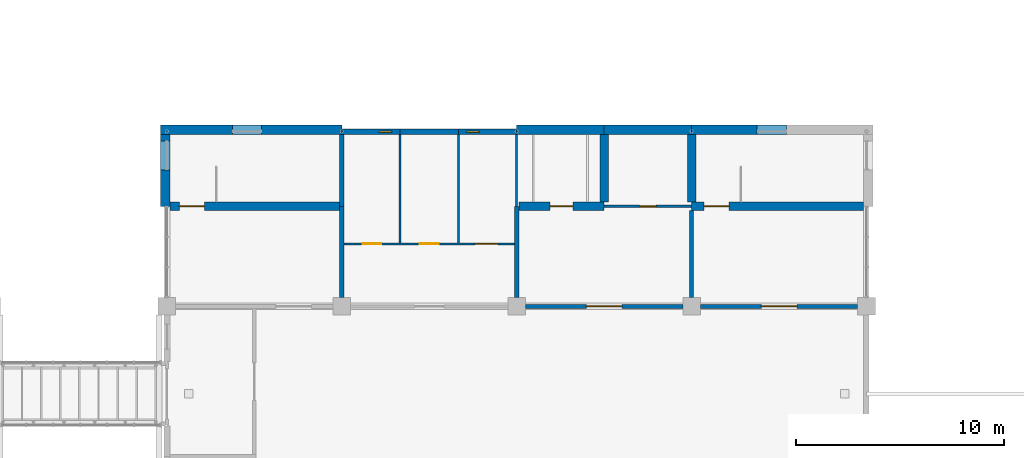
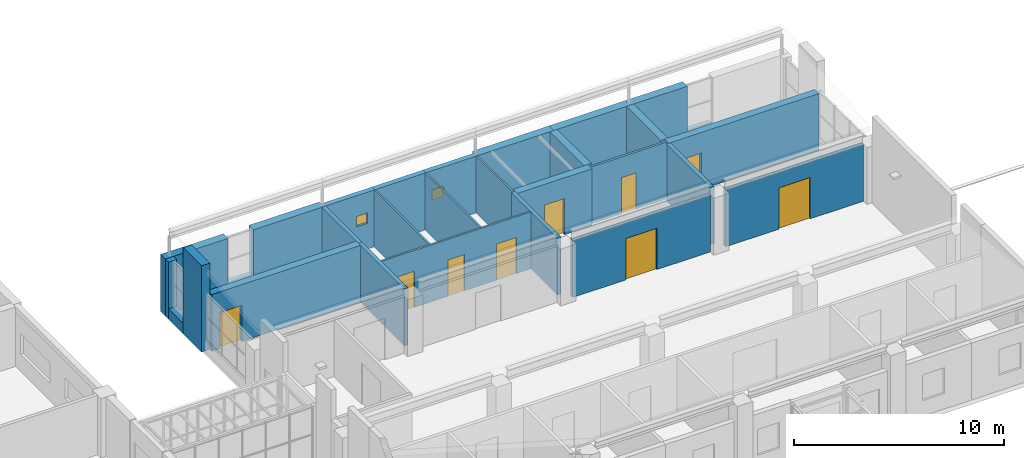
# One storey, part 67 of 94: 29 walls, 9 doors, 2 windows, 11 openings.
"""IFC4 building model written with IfcOpenShell, lengths in metres."""

from ifc_helpers import new_model, si_unit, direction, frame, frame_2d, origin, place, context, subcontext, project, spatial, rectangle, extrude, material, layer, layer_set, type_object, element, fill, save


model = new_model("IFC4")

# Units and contexts
model_context = context("Model", 3, precision=1e-05, world=origin(), true_north=direction((0.0, 1.0)))
body_context = subcontext(model_context, "Body", "Model", "MODEL_VIEW")
ifc_project = project(units=[si_unit("LENGTHUNIT", "METRE"), si_unit("AREAUNIT", "SQUARE_METRE"), si_unit("VOLUMEUNIT", "CUBIC_METRE"), si_unit("PLANEANGLEUNIT", "RADIAN"), si_unit("MASSUNIT", "GRAM", prefix="KILO")], contexts=[model_context])

# Site, building, storey
site_placement = place(None, origin())
site = spatial("IfcSite", under=ifc_project, at=site_placement, CompositionType="ELEMENT")
building_placement = place(site_placement, origin())
building = spatial("IfcBuilding", under=site, at=building_placement, Name="Yavir Park General Hospital", CompositionType="ELEMENT")
storey_placement = place(building_placement, frame((0.0, 0.0, 4.5)))
storey = spatial("IfcBuildingStorey", under=building, at=storey_placement, Name="L01", CompositionType="ELEMENT", Elevation=4.5)

# Wall, opening, window
ifc_material_1 = material(Name="Brick slip cladding on insulated block backing", Category="masonry")
ifc_layer_1 = layer(ifc_material_1, 0.27490234375)
ifc_layer_set_1 = layer_set([ifc_layer_1], Name="Brick slip cladding on insulated block backing")
wall_type_1 = type_object("IfcWallType", Name="Brick slip faced pavilion wall 275, E 30", PredefinedType="SOLIDWALL", material=ifc_layer_set_1)
wall_1_placement = place(storey_placement, frame((42.0, 75.58740234375, 0.0), z_axis=(0.0, 0.0, 1.0), x_axis=(1.0, 0.0, 0.0)))
wall_1 = element("IfcWall", 1, at=wall_1_placement, inside=storey, type_object=wall_type_1, Name="XW3 L01-104", PredefinedType="SOLIDWALL", context=body_context, shape_type="SweptSolid", body=[
    extrude(rectangle(XDim=2.800048828125, YDim=0.27490234375, at=frame_2d((1.39990234375, 0.0))), origin(), (0.0, 0.0, 1.0), 3.300048828125),
])
opening_1_placement = place(wall_1_placement, frame((1.800048828125, 0.0, 1.5)))
opening_1 = element("IfcOpeningElement", 2, at=opening_1_placement, cuts=wall_1, Name="Opening WJ", PredefinedType="OPENING", context=body_context, shape_type="SweptSolid", body=[
    extrude(rectangle(XDim=0.60009765625, YDim=0.60009765625, at=frame_2d((0.300048828125, 0.300048828125))), frame((0.0, 0.1474609375, 0.0), z_axis=(0.0, -1.0, 0.0), x_axis=(1.0, 0.0, 0.0)), (0.0, 0.0, 1.0), 0.294921875),
])
ifc_material_2 = material(Name="Aluminium frame, obscured glazed unit", Category="aluminium")
window_type = type_object("IfcWindowType", Name="Toilet window, small 600 x 600", PartitioningType="SINGLE_PANEL", PredefinedType="WINDOW", material=ifc_material_2)
window_1_placement = place(opening_1_placement, origin())
window_1 = element("IfcWindow", 3, at=window_1_placement, inside=storey, type_object=window_type, Name="WJ L01-063", OverallHeight=0.60009765625, OverallWidth=0.60009765625, PartitioningType="SINGLE_PANEL", PredefinedType="WINDOW", context=body_context, shape_type="SweptSolid", body=[
    extrude(rectangle(XDim=0.60009765625, YDim=0.60009765625, at=frame_2d((0.300048828125, 0.300048828125))), frame((0.0, 0.030029296875, 0.0), z_axis=(0.0, -1.0, 0.0), x_axis=(1.0, 0.0, 0.0)), (0.0, 0.0, 1.0), 0.06005859375),
])
fill(opening_1, window_1)

# Wall
wall_2_placement = place(storey_placement, frame((44.800048828125, 75.58740234375, 0.0), z_axis=(0.0, 0.0, 1.0), x_axis=(1.0, 0.0, 0.0)))
element("IfcWall", 4, at=wall_2_placement, inside=storey, type_object=wall_type_1, Name="XW3 L01-105", PredefinedType="SOLIDWALL", context=body_context, shape_type="SweptSolid", body=[
    extrude(rectangle(XDim=2.800048828125, YDim=0.27490234375, at=frame_2d((1.39990234375, 0.0))), origin(), (0.0, 0.0, 1.0), 3.300048828125),
])

# Wall, opening, window
wall_3_placement = place(storey_placement, frame((47.60009765625, 75.58740234375, 0.0), z_axis=(0.0, 0.0, 1.0), x_axis=(1.0, 0.0, 0.0)))
wall_3 = element("IfcWall", 5, at=wall_3_placement, inside=storey, type_object=wall_type_1, Name="XW3 L01-106", PredefinedType="SOLIDWALL", context=body_context, shape_type="SweptSolid", body=[
    extrude(rectangle(XDim=2.7998046875, YDim=0.27490234375, at=frame_2d((1.39990234375, 0.0))), origin(), (0.0, 0.0, 1.0), 3.300048828125),
])
opening_2_placement = place(wall_3_placement, frame((0.39990234375, 0.0, 1.5)))
opening_2 = element("IfcOpeningElement", 6, at=opening_2_placement, cuts=wall_3, Name="Opening WJ", PredefinedType="OPENING", context=body_context, shape_type="SweptSolid", body=[
    extrude(rectangle(XDim=0.60009765625, YDim=0.60009765625, at=frame_2d((0.300048828125, 0.300048828125))), frame((0.0, 0.1474609375, 0.0), z_axis=(0.0, -1.0, 0.0), x_axis=(1.0, 0.0, 0.0)), (0.0, 0.0, 1.0), 0.294921875),
])
window_2_placement = place(opening_2_placement, origin())
window_2 = element("IfcWindow", 7, at=window_2_placement, inside=storey, type_object=window_type, Name="WJ L01-064", OverallHeight=0.60009765625, OverallWidth=0.60009765625, PartitioningType="SINGLE_PANEL", PredefinedType="WINDOW", context=body_context, shape_type="SweptSolid", body=[
    extrude(rectangle(XDim=0.60009765625, YDim=0.60009765625, at=frame_2d((0.300048828125, 0.300048828125))), frame((0.0, 0.030029296875, 0.0), z_axis=(0.0, -1.0, 0.0), x_axis=(1.0, 0.0, 0.0)), (0.0, 0.0, 1.0), 0.06005859375),
])
fill(opening_2, window_2)

# Wall, opening, door
ifc_material_3 = material(Name="Double gypsum board fire partition on steel studs", Category="steel")
ifc_layer_2 = layer(ifc_material_3, 0.199951171875)
ifc_layer_set_2 = layer_set([ifc_layer_2], Name="Double gypsum board fire partition on steel studs")
wall_type_2 = type_object("IfcWallType", Name="Fire-rated partition 200, EI 60", PredefinedType="PARTITIONING", material=ifc_layer_set_2)
wall_4_placement = place(storey_placement, frame((50.824951171875, 67.199951171875, 0.0), z_axis=(0.0, 0.0, 1.0), x_axis=(1.0, 0.0, 0.0)))
wall_4 = element("IfcWall", 8, at=wall_4_placement, inside=storey, type_object=wall_type_2, Name="FP20 L01-192", PredefinedType="PARTITIONING", context=body_context, shape_type="SweptSolid", body=[
    extrude(rectangle(XDim=7.550048828125, YDim=0.199951171875, at=frame_2d((3.77490234375, 0.0))), origin(), (0.0, 0.0, 1.0), 3.300048828125),
])
opening_3_placement = place(wall_4_placement, frame((2.925048828125, 0.0, 0.0)))
opening_3 = element("IfcOpeningElement", 9, at=opening_3_placement, cuts=wall_4, Name="Opening L01.D154", PredefinedType="OPENING", context=body_context, shape_type="SweptSolid", body=[
    extrude(rectangle(XDim=1.699951171875, YDim=2.39990234375, at=frame_2d((0.85009765625, 1.199951171875))), frame((0.0, 0.10986328125, 0.0), z_axis=(0.0, -1.0, 0.0), x_axis=(1.0, 0.0, 0.0)), (0.0, 0.0, 1.0), 0.219970703125),
])
ifc_material_4 = material(Name="Steel frame, fire-resisting timber leaves", Category="steel")
door_type_1 = type_object("IfcDoorType", Name="Double fire door 1700 x 2400, EI 60", OperationType="DOUBLE_DOOR_SINGLE_SWING", PredefinedType="DOOR", material=ifc_material_4)
door_1_placement = place(opening_3_placement, origin())
door_1 = element("IfcDoor", 10, at=door_1_placement, inside=storey, type_object=door_type_1, Name="L01.D154", OperationType="SINGLE_SWING_RIGHT", OverallHeight=2.39990234375, OverallWidth=1.699951171875, PredefinedType="DOOR", context=body_context, shape_type="SweptSolid", body=[
    extrude(rectangle(XDim=1.699951171875, YDim=2.39990234375, at=frame_2d((0.85009765625, 1.199951171875))), frame((0.0, 0.02490234375, 0.0), z_axis=(0.0, -1.0, 0.0), x_axis=(1.0, 0.0, 0.0)), (0.0, 0.0, 1.0), 0.050048828125),
])
fill(opening_3, door_1)

wall_5_placement = place(storey_placement, frame((59.22509765625, 67.199951171875, 0.0), z_axis=(0.0, 0.0, 1.0), x_axis=(1.0, 0.0, 0.0)))
wall_5 = element("IfcWall", 11, at=wall_5_placement, inside=storey, type_object=wall_type_2, Name="FP20 L01-193", PredefinedType="PARTITIONING", context=body_context, shape_type="SweptSolid", body=[
    extrude(rectangle(XDim=7.5498046875, YDim=0.199951171875, at=frame_2d((3.77490234375, 0.0))), origin(), (0.0, 0.0, 1.0), 3.300048828125),
])
opening_4_placement = place(wall_5_placement, frame((2.925048828125, 0.0, 0.0)))
opening_4 = element("IfcOpeningElement", 12, at=opening_4_placement, cuts=wall_5, Name="Opening L01.D155", PredefinedType="OPENING", context=body_context, shape_type="SweptSolid", body=[
    extrude(rectangle(XDim=1.699951171875, YDim=2.39990234375, at=frame_2d((0.85009765625, 1.199951171875))), frame((0.0, 0.10986328125, 0.0), z_axis=(0.0, -1.0, 0.0), x_axis=(1.0, 0.0, 0.0)), (0.0, 0.0, 1.0), 0.219970703125),
])
door_2_placement = place(opening_4_placement, origin())
door_2 = element("IfcDoor", 13, at=door_2_placement, inside=storey, type_object=door_type_1, Name="L01.D155", OperationType="SINGLE_SWING_RIGHT", OverallHeight=2.39990234375, OverallWidth=1.699951171875, PredefinedType="DOOR", context=body_context, shape_type="SweptSolid", body=[
    extrude(rectangle(XDim=1.699951171875, YDim=2.39990234375, at=frame_2d((0.85009765625, 1.199951171875))), frame((0.0, 0.02490234375, 0.0), z_axis=(0.0, -1.0, 0.0), x_axis=(1.0, 0.0, 0.0)), (0.0, 0.0, 1.0), 0.050048828125),
])
fill(opening_4, door_2)

# Walls
for number, where, z_axis, x_axis, name in (
    (14, (42.0, 67.625, 0.0), (0.0, 0.0, 1.0), (0.0, 1.0, 0.0), "FP20 L01-340"),
    (15, (50.39990234375, 67.625, 0.0), (0.0, 0.0, 1.0), (0.0, 1.0, 0.0), "FP20 L01-351"),
):
    element("IfcWall", number, at=place(storey_placement, frame(where, z_axis=z_axis, x_axis=x_axis)), inside=storey, type_object=wall_type_2, Name=name, PredefinedType="PARTITIONING", context=body_context, shape_type="SweptSolid", body=[
        extrude(rectangle(XDim=4.375, YDim=0.199951171875, at=frame_2d((2.1875, 0.0))), origin(), (0.0, 0.0, 1.0), 3.300048828125),
    ])
wall_6_placement = place(storey_placement, frame((58.800048828125, 67.625, 0.0), z_axis=(0.0, 0.0, 1.0), x_axis=(0.0, 1.0, 0.0)))
element("IfcWall", 16, at=wall_6_placement, inside=storey, type_object=wall_type_2, Name="FP20 L01-363", PredefinedType="PARTITIONING", context=body_context, shape_type="SweptSolid", body=[
    extrude(rectangle(XDim=4.175048828125, YDim=0.199951171875, at=frame_2d((2.08740234375, 0.0))), origin(), (0.0, 0.0, 1.0), 3.300048828125),
])
ifc_material_5 = material(Name="Double gypsum board fire partition on steel studs", Category="steel")
ifc_layer_3 = layer(ifc_material_5, 0.199951171875)
ifc_layer_set_3 = layer_set([ifc_layer_3], Name="Double gypsum board fire partition on steel studs")
wall_type_3 = type_object("IfcWallType", Name="Fire-rated partition 200, REI 150", PredefinedType="PARTITIONING", material=ifc_layer_set_3)
wall_7_placement = place(storey_placement, frame((42.0, 72.0, 0.0), z_axis=(0.0, 0.0, 1.0), x_axis=(0.0, 1.0, 0.0)))
element("IfcWall", 17, at=wall_7_placement, inside=storey, type_object=wall_type_3, Name="FP20 L01-341", PredefinedType="PARTITIONING", context=body_context, shape_type="SweptSolid", body=[
    extrude(rectangle(XDim=3.449951171875, YDim=0.199951171875, at=frame_2d((1.72509765625, 0.0))), origin(), (0.0, 0.0, 1.0), 3.300048828125),
])

# Wall, openings, doors
ifc_material_6 = material(Name="Gypsum board partition on steel studs", Category="steel")
ifc_layer_4 = layer(ifc_material_6, 0.10009765625)
ifc_layer_set_4 = layer_set([ifc_layer_4], Name="Gypsum board partition on steel studs")
wall_type_4 = type_object("IfcWallType", Name="Gypsum board partition 100", PredefinedType="PARTITIONING", material=ifc_layer_set_4)
wall_8_placement = place(storey_placement, frame((42.10009765625, 70.199951171875, 0.0), z_axis=(0.0, 0.0, 1.0), x_axis=(1.0, 0.0, 0.0)))
wall_8 = element("IfcWall", 18, at=wall_8_placement, inside=storey, type_object=wall_type_4, Name="P10 L01-199", PredefinedType="PARTITIONING", context=body_context, shape_type="SweptSolid", body=[
    extrude(rectangle(XDim=8.199951171875, YDim=0.10009765625, at=frame_2d((4.10009765625, 0.0))), origin(), (0.0, 0.0, 1.0), 3.300048828125),
])
opening_5_placement = place(wall_8_placement, frame((0.89990234375, 0.0, 0.0)))
opening_5 = element("IfcOpeningElement", 19, at=opening_5_placement, cuts=wall_8, Name="Opening L01.D156", PredefinedType="OPENING", context=body_context, shape_type="SweptSolid", body=[
    extrude(rectangle(XDim=0.89990234375, YDim=2.10009765625, at=frame_2d((0.449951171875, 1.050048828125))), frame((0.0, 0.06005859375, 0.0), z_axis=(0.0, -1.0, 0.0), x_axis=(1.0, 0.0, 0.0)), (0.0, 0.0, 1.0), 0.1201171875),
])
opening_6_placement = place(wall_8_placement, frame((3.64990234375, 0.0, 0.0)))
opening_6 = element("IfcOpeningElement", 20, at=opening_6_placement, cuts=wall_8, Name="Opening L01.D157", PredefinedType="OPENING", context=body_context, shape_type="SweptSolid", body=[
    extrude(rectangle(XDim=0.89990234375, YDim=2.10009765625, at=frame_2d((0.449951171875, 1.050048828125))), frame((0.0, 0.06005859375, 0.0), z_axis=(0.0, -1.0, 0.0), x_axis=(1.0, 0.0, 0.0)), (0.0, 0.0, 1.0), 0.1201171875),
])
opening_7_placement = place(wall_8_placement, frame((6.300048828125, 0.0, 0.0)))
opening_7 = element("IfcOpeningElement", 21, at=opening_7_placement, cuts=wall_8, Name="Opening L01.D158", PredefinedType="OPENING", context=body_context, shape_type="SweptSolid", body=[
    extrude(rectangle(XDim=1.10009765625, YDim=2.10009765625, at=frame_2d((0.550048828125, 1.050048828125))), frame((0.0, 0.06005859375, 0.0), z_axis=(0.0, -1.0, 0.0), x_axis=(1.0, 0.0, 0.0)), (0.0, 0.0, 1.0), 0.1201171875),
])
ifc_material_7 = material(Name="Timber frame, hollow-core leaf", Category="wood")
door_type_2 = type_object("IfcDoorType", Name="Light cupboard door 900 x 2100", OperationType="SINGLE_SWING_LEFT", PredefinedType="DOOR", material=ifc_material_7)
door_3_placement = place(opening_5_placement, origin())
door_3 = element("IfcDoor", 22, at=door_3_placement, inside=storey, type_object=door_type_2, Name="L01.D156", OperationType="SINGLE_SWING_LEFT", OverallHeight=2.10009765625, OverallWidth=0.89990234375, PredefinedType="DOOR", context=body_context, shape_type="SweptSolid", body=[
    extrude(rectangle(XDim=0.89990234375, YDim=2.10009765625, at=frame_2d((0.449951171875, 1.050048828125))), frame((0.0, 0.02001953125, 0.0), z_axis=(0.0, -1.0, 0.0), x_axis=(1.0, 0.0, 0.0)), (0.0, 0.0, 1.0), 0.0400390625),
])
fill(opening_5, door_3)
door_4_placement = place(opening_6_placement, origin())
door_4 = element("IfcDoor", 23, at=door_4_placement, inside=storey, type_object=door_type_2, Name="L01.D157", OperationType="SINGLE_SWING_RIGHT", OverallHeight=2.10009765625, OverallWidth=0.89990234375, PredefinedType="DOOR", context=body_context, shape_type="SweptSolid", body=[
    extrude(rectangle(XDim=0.89990234375, YDim=2.10009765625, at=frame_2d((0.449951171875, 1.050048828125))), frame((0.0, 0.02001953125, 0.0), z_axis=(0.0, -1.0, 0.0), x_axis=(1.0, 0.0, 0.0)), (0.0, 0.0, 1.0), 0.0400390625),
])
fill(opening_6, door_4)
ifc_material_8 = material(Name="Hollow metal frame, solid-core timber leaf", Category="wood")
door_type_3 = type_object("IfcDoorType", Name="Single swing door 1100 x 2100", OperationType="SINGLE_SWING_LEFT", PredefinedType="DOOR", material=ifc_material_8)
door_5_placement = place(opening_7_placement, origin())
door_5 = element("IfcDoor", 24, at=door_5_placement, inside=storey, type_object=door_type_3, Name="L01.D158", OperationType="SINGLE_SWING_RIGHT", OverallHeight=2.10009765625, OverallWidth=1.10009765625, PredefinedType="DOOR", context=body_context, shape_type="SweptSolid", body=[
    extrude(rectangle(XDim=1.10009765625, YDim=2.10009765625, at=frame_2d((0.550048828125, 1.050048828125))), frame((0.0, 0.02490234375, 0.0), z_axis=(0.0, -1.0, 0.0), x_axis=(1.0, 0.0, 0.0)), (0.0, 0.0, 1.0), 0.050048828125),
])
fill(opening_7, door_5)

# Walls
for number, where, z_axis, x_axis, name in (
    (25, (44.800048828125, 70.25, 0.0), (0.0, 0.0, 1.0), (0.0, 1.0, 0.0), "P10 L01-342"),
    (26, (47.60009765625, 70.25, 0.0), (0.0, 0.0, 1.0), (0.0, 1.0, 0.0), "P10 L01-346"),
):
    element("IfcWall", number, at=place(storey_placement, frame(where, z_axis=z_axis, x_axis=x_axis)), inside=storey, type_object=wall_type_4, Name=name, PredefinedType="PARTITIONING", context=body_context, shape_type="SweptSolid", body=[
        extrude(rectangle(XDim=5.199951171875, YDim=0.10009765625, at=frame_2d((2.60009765625, 0.0))), origin(), (0.0, 0.0, 1.0), 3.300048828125),
    ])
wall_9_placement = place(storey_placement, frame((50.39990234375, 72.0, 0.0), z_axis=(0.0, 0.0, 1.0), x_axis=(0.0, 1.0, 0.0)))
element("IfcWall", 27, at=wall_9_placement, inside=storey, type_object=wall_type_4, Name="P10 L01-352", PredefinedType="PARTITIONING", context=body_context, shape_type="SweptSolid", body=[
    extrude(rectangle(XDim=3.449951171875, YDim=0.10009765625, at=frame_2d((1.72509765625, 0.0))), origin(), (0.0, 0.0, 1.0), 3.300048828125),
])

# Wall, opening, door
ifc_material_9 = material(Name="Concrete C35/45", Category="concrete")
ifc_layer_5 = layer(ifc_material_9, 0.39990234375)
ifc_layer_set_5 = layer_set([ifc_layer_5], Name="Concrete C35/45")
wall_type_5 = type_object("IfcWallType", Name="Reinforced concrete core wall 400, REI 150", PredefinedType="SHEAR", material=ifc_layer_set_5)
wall_10_placement = place(storey_placement, frame((33.75, 72.0, 0.0), z_axis=(0.0, 0.0, 1.0), x_axis=(1.0, 0.0, 0.0)))
wall_10 = element("IfcWall", 28, at=wall_10_placement, inside=storey, type_object=wall_type_5, Name="CW40 L01-204", PredefinedType="SHEAR", context=body_context, shape_type="SweptSolid", body=[
    extrude(rectangle(XDim=8.14990234375, YDim=0.39990234375, at=frame_2d((4.074951171875, 0.0))), origin(), (0.0, 0.0, 1.0), 3.300048828125),
])
opening_8_placement = place(wall_10_placement, frame((0.449951171875, 0.0, 0.0)))
opening_8 = element("IfcOpeningElement", 29, at=opening_8_placement, cuts=wall_10, Name="Opening L01.D159", PredefinedType="OPENING", context=body_context, shape_type="SweptSolid", body=[
    extrude(rectangle(XDim=1.199951171875, YDim=2.10009765625, at=frame_2d((0.60009765625, 1.050048828125))), frame((0.0, 0.2099609375, 0.0), z_axis=(0.0, -1.0, 0.0), x_axis=(1.0, 0.0, 0.0)), (0.0, 0.0, 1.0), 0.419921875),
])
ifc_material_10 = material(Name="Steel frame, fire-resisting timber leaf", Category="steel")
door_type_4 = type_object("IfcDoorType", Name="Fire door 1200 x 2100, EI 60", OperationType="SINGLE_SWING_LEFT", PredefinedType="DOOR", material=ifc_material_10)
door_6_placement = place(opening_8_placement, origin())
door_6 = element("IfcDoor", 30, at=door_6_placement, inside=storey, type_object=door_type_4, Name="L01.D159", OperationType="SINGLE_SWING_RIGHT", OverallHeight=2.10009765625, OverallWidth=1.199951171875, PredefinedType="DOOR", context=body_context, shape_type="SweptSolid", body=[
    extrude(rectangle(XDim=1.199951171875, YDim=2.10009765625, at=frame_2d((0.60009765625, 1.050048828125))), frame((0.0, 0.02490234375, 0.0), z_axis=(0.0, -1.0, 0.0), x_axis=(1.0, 0.0, 0.0)), (0.0, 0.0, 1.0), 0.050048828125),
])
fill(opening_8, door_6)

wall_11_placement = place(storey_placement, frame((50.5, 72.0, 0.0), z_axis=(0.0, 0.0, 1.0), x_axis=(1.0, 0.0, 0.0)))
wall_11 = element("IfcWall", 31, at=wall_11_placement, inside=storey, type_object=wall_type_5, Name="CW40 L01-205", PredefinedType="SHEAR", context=body_context, shape_type="SweptSolid", body=[
    extrude(rectangle(XDim=4.10009765625, YDim=0.39990234375, at=frame_2d((2.050048828125, 0.0))), origin(), (0.0, 0.0, 1.0), 3.300048828125),
])
opening_9_placement = place(wall_11_placement, frame((1.5, 0.0, 0.0)))
opening_9 = element("IfcOpeningElement", 32, at=opening_9_placement, cuts=wall_11, Name="Opening L01.D160", PredefinedType="OPENING", context=body_context, shape_type="SweptSolid", body=[
    extrude(rectangle(XDim=1.10009765625, YDim=2.10009765625, at=frame_2d((0.550048828125, 1.050048828125))), frame((0.0, 0.2099609375, 0.0), z_axis=(0.0, -1.0, 0.0), x_axis=(1.0, 0.0, 0.0)), (0.0, 0.0, 1.0), 0.419921875),
])
ifc_material_11 = material(Name="Stainless steel landing door panels", Category="steel")
door_type_5 = type_object("IfcDoorType", Name="Lift landing door 1100 x 2100, EI 60", OperationType="SLIDING_TO_LEFT", PredefinedType="DOOR", material=ifc_material_11)
door_7_placement = place(opening_9_placement, origin())
door_7 = element("IfcDoor", 33, at=door_7_placement, inside=storey, type_object=door_type_5, Name="L01.D160", OperationType="SLIDING_TO_LEFT", OverallHeight=2.10009765625, OverallWidth=1.10009765625, PredefinedType="DOOR", context=body_context, shape_type="SweptSolid", body=[
    extrude(rectangle(XDim=1.10009765625, YDim=2.10009765625, at=frame_2d((0.550048828125, 1.050048828125))), frame((0.0, 0.02490234375, 0.0), z_axis=(0.0, -1.0, 0.0), x_axis=(1.0, 0.0, 0.0)), (0.0, 0.0, 1.0), 0.050048828125),
])
fill(opening_9, door_7)

wall_12_placement = place(storey_placement, frame((58.800048828125, 72.0, 0.0), z_axis=(0.0, 0.0, 1.0), x_axis=(1.0, 0.0, 0.0)))
wall_12 = element("IfcWall", 34, at=wall_12_placement, inside=storey, type_object=wall_type_5, Name="CW40 L01-207", PredefinedType="SHEAR", context=body_context, shape_type="SweptSolid", body=[
    extrude(rectangle(XDim=8.25, YDim=0.39990234375, at=frame_2d((4.125, 0.0))), origin(), (0.0, 0.0, 1.0), 3.300048828125),
])
opening_10_placement = place(wall_12_placement, frame((0.60009765625, 0.0, 0.0)))
opening_10 = element("IfcOpeningElement", 35, at=opening_10_placement, cuts=wall_12, Name="Opening L01.D162", PredefinedType="OPENING", context=body_context, shape_type="SweptSolid", body=[
    extrude(rectangle(XDim=1.199951171875, YDim=2.10009765625, at=frame_2d((0.60009765625, 1.050048828125))), frame((0.0, 0.2099609375, 0.0), z_axis=(0.0, -1.0, 0.0), x_axis=(1.0, 0.0, 0.0)), (0.0, 0.0, 1.0), 0.419921875),
])
door_8_placement = place(opening_10_placement, origin())
door_8 = element("IfcDoor", 36, at=door_8_placement, inside=storey, type_object=door_type_4, Name="L01.D162", OperationType="SINGLE_SWING_RIGHT", OverallHeight=2.10009765625, OverallWidth=1.199951171875, PredefinedType="DOOR", context=body_context, shape_type="SweptSolid", body=[
    extrude(rectangle(XDim=1.199951171875, YDim=2.10009765625, at=frame_2d((0.60009765625, 1.050048828125))), frame((0.0, 0.02490234375, 0.0), z_axis=(0.0, -1.0, 0.0), x_axis=(1.0, 0.0, 0.0)), (0.0, 0.0, 1.0), 0.050048828125),
])
fill(opening_10, door_8)

# Walls
for number, where, z_axis, x_axis, name in (
    (37, (54.60009765625, 72.199951171875, 0.0), (0.0, 0.0, 1.0), (0.0, 1.0, 0.0), "CW40 L01-356"),
    (38, (58.800048828125, 72.199951171875, 0.0), (0.0, 0.0, 1.0), (0.0, 1.0, 0.0), "CW40 L01-364"),
):
    element("IfcWall", number, at=place(storey_placement, frame(where, z_axis=z_axis, x_axis=x_axis)), inside=storey, type_object=wall_type_5, Name=name, PredefinedType="SHEAR", context=body_context, shape_type="SweptSolid", body=[
        extrude(rectangle(XDim=3.25, YDim=0.39990234375, at=frame_2d((1.625, 0.0))), origin(), (0.0, 0.0, 1.0), 3.300048828125),
    ])

# Wall, opening, door
ifc_material_12 = material(Name="Gypsum shaft wall system on steel studs", Category="steel")
ifc_layer_6 = layer(ifc_material_12, 0.125)
ifc_layer_set_6 = layer_set([ifc_layer_6], Name="Gypsum shaft wall system on steel studs")
wall_type_6 = type_object("IfcWallType", Name="Shaft wall 125, EI 90", PredefinedType="SOLIDWALL", material=ifc_layer_set_6)
wall_13_placement = place(storey_placement, frame((54.60009765625, 72.0, 0.0), z_axis=(0.0, 0.0, 1.0), x_axis=(1.0, 0.0, 0.0)))
wall_13 = element("IfcWall", 39, at=wall_13_placement, inside=storey, type_object=wall_type_6, Name="SW125 L01-206", PredefinedType="SOLIDWALL", context=body_context, shape_type="SweptSolid", body=[
    extrude(rectangle(XDim=4.199951171875, YDim=0.125, at=frame_2d((2.10009765625, 0.0))), origin(), (0.0, 0.0, 1.0), 3.300048828125),
])
opening_11_placement = place(wall_13_placement, frame((1.699951171875, 0.0, 0.0)))
opening_11 = element("IfcOpeningElement", 40, at=opening_11_placement, cuts=wall_13, Name="Opening L01.D161", PredefinedType="OPENING", context=body_context, shape_type="SweptSolid", body=[
    extrude(rectangle(XDim=0.800048828125, YDim=2.10009765625, at=frame_2d((0.39990234375, 1.050048828125))), frame((0.0, 0.072509765625, 0.0), z_axis=(0.0, -1.0, 0.0), x_axis=(1.0, 0.0, 0.0)), (0.0, 0.0, 1.0), 0.14501953125),
])
ifc_material_13 = material(Name="Steel frame, fire-resisting access leaf", Category="steel")
door_type_6 = type_object("IfcDoorType", Name="Fire-resisting riser access door 800 x 2100, EI 90", OperationType="SINGLE_SWING_LEFT", PredefinedType="DOOR", material=ifc_material_13)
door_9_placement = place(opening_11_placement, origin())
door_9 = element("IfcDoor", 41, at=door_9_placement, inside=storey, type_object=door_type_6, Name="L01.D161", OperationType="SINGLE_SWING_RIGHT", OverallHeight=2.10009765625, OverallWidth=0.800048828125, PredefinedType="DOOR", context=body_context, shape_type="SweptSolid", body=[
    extrude(rectangle(XDim=0.800048828125, YDim=2.10009765625, at=frame_2d((0.39990234375, 1.050048828125))), frame((0.0, 0.030029296875, 0.0), z_axis=(0.0, -1.0, 0.0), x_axis=(1.0, 0.0, 0.0)), (0.0, 0.0, 1.0), 0.06005859375),
])
fill(opening_11, door_9)

# Walls
ifc_material_14 = material(Name="Concrete C30/37 precast panel with 150 mm mineral wool insulation", Category="concrete")
ifc_layer_7 = layer(ifc_material_14, 0.449951171875)
ifc_layer_set_7 = layer_set([ifc_layer_7], Name="Concrete C30/37 precast panel with 150 mm mineral wool insulation")
wall_type_7 = type_object("IfcWallType", Name="Stair enclosure wall 450, REI 150", PredefinedType="SOLIDWALL", material=ifc_layer_set_7)
wall_14_placement = place(storey_placement, frame((33.300048828125, 75.675048828125, 0.0), z_axis=(0.0, 0.0, 1.0), x_axis=(1.0, 0.0, 0.0)))
element("IfcWall", 42, at=wall_14_placement, inside=storey, type_object=wall_type_7, Name="XW6 L01-101", PredefinedType="SOLIDWALL", context=body_context, shape_type="SweptSolid", body=[
    extrude(rectangle(XDim=3.449951171875, YDim=0.449951171875, at=frame_2d((1.72509765625, 0.0))), origin(), (0.0, 0.0, 1.0), 3.300048828125),
])
wall_15_placement = place(storey_placement, frame((38.14990234375, 75.675048828125, 0.0), z_axis=(0.0, 0.0, 1.0), x_axis=(1.0, 0.0, 0.0)))
element("IfcWall", 43, at=wall_15_placement, inside=storey, type_object=wall_type_7, Name="XW6 L01-102", PredefinedType="SOLIDWALL", context=body_context, shape_type="SweptSolid", body=[
    extrude(rectangle(XDim=3.85009765625, YDim=0.449951171875, at=frame_2d((1.925048828125, 0.0))), origin(), (0.0, 0.0, 1.0), 3.300048828125),
])
wall_16_placement = place(storey_placement, frame((36.75, 75.675048828125, 0.0), z_axis=(0.0, 0.0, 1.0), x_axis=(1.0, 0.0, 0.0)))
element("IfcWall", 44, at=wall_16_placement, inside=storey, type_object=wall_type_7, Name="XW6 L01-103", PredefinedType="SOLIDWALL", context=body_context, shape_type="SweptSolid", body=[
    extrude(rectangle(XDim=1.39990234375, YDim=0.449951171875, at=frame_2d((0.699951171875, 0.0))), origin(), (0.0, 0.0, 1.0), 0.60009765625),
])
wall_17_placement = place(storey_placement, frame((50.39990234375, 75.675048828125, 0.0), z_axis=(0.0, 0.0, 1.0), x_axis=(1.0, 0.0, 0.0)))
element("IfcWall", 45, at=wall_17_placement, inside=storey, type_object=wall_type_7, Name="XW6 L01-107", PredefinedType="SOLIDWALL", context=body_context, shape_type="SweptSolid", body=[
    extrude(rectangle(XDim=4.2001953125, YDim=0.449951171875, at=frame_2d((2.10009765625, 0.0))), origin(), (0.0, 0.0, 1.0), 3.300048828125),
])
wall_18_placement = place(storey_placement, frame((54.60009765625, 75.675048828125, 0.0), z_axis=(0.0, 0.0, 1.0), x_axis=(1.0, 0.0, 0.0)))
element("IfcWall", 46, at=wall_18_placement, inside=storey, type_object=wall_type_7, Name="XW6 L01-108", PredefinedType="SOLIDWALL", context=body_context, shape_type="SweptSolid", body=[
    extrude(rectangle(XDim=4.199951171875, YDim=0.449951171875, at=frame_2d((2.10009765625, 0.0))), origin(), (0.0, 0.0, 1.0), 3.300048828125),
])
wall_19_placement = place(storey_placement, frame((58.800048828125, 75.675048828125, 0.0), z_axis=(0.0, 0.0, 1.0), x_axis=(1.0, 0.0, 0.0)))
element("IfcWall", 47, at=wall_19_placement, inside=storey, type_object=wall_type_7, Name="XW6 L01-109", PredefinedType="SOLIDWALL", context=body_context, shape_type="SweptSolid", body=[
    extrude(rectangle(XDim=3.14990234375, YDim=0.449951171875, at=frame_2d((1.574951171875, 0.0))), origin(), (0.0, 0.0, 1.0), 3.300048828125),
])
wall_20_placement = place(storey_placement, frame((61.949951171875, 75.675048828125, 0.0), z_axis=(0.0, 0.0, 1.0), x_axis=(1.0, 0.0, 0.0)))
element("IfcWall", 48, at=wall_20_placement, inside=storey, type_object=wall_type_7, Name="XW6 L01-111", PredefinedType="SOLIDWALL", context=body_context, shape_type="SweptSolid", body=[
    extrude(rectangle(XDim=1.400146484375, YDim=0.449951171875, at=frame_2d((0.7001953125, 0.0))), origin(), (0.0, 0.0, 1.0), 0.60009765625),
])
wall_21_placement = place(storey_placement, frame((33.52490234375, 72.0, 0.0), z_axis=(0.0, 0.0, 1.0), x_axis=(0.0, 1.0, 0.0)))
element("IfcWall", 49, at=wall_21_placement, inside=storey, type_object=wall_type_7, Name="XW6 L01-179", PredefinedType="SOLIDWALL", context=body_context, shape_type="SweptSolid", body=[
    extrude(rectangle(XDim=1.75, YDim=0.449951171875, at=frame_2d((0.875, 0.0))), origin(), (0.0, 0.0, 1.0), 5.0),
])
wall_22_placement = place(storey_placement, frame((33.52490234375, 75.14990234375, 0.0), z_axis=(0.0, 0.0, 1.0), x_axis=(0.0, 1.0, 0.0)))
element("IfcWall", 50, at=wall_22_placement, inside=storey, type_object=wall_type_7, Name="XW6 L01-180", PredefinedType="SOLIDWALL", context=body_context, shape_type="SweptSolid", body=[
    extrude(rectangle(XDim=0.300048828125, YDim=0.449951171875, at=frame_2d((0.14990234375, 0.0))), origin(), (0.0, 0.0, 1.0), 3.300048828125),
])
wall_23_placement = place(storey_placement, frame((33.52490234375, 73.75, 0.0), z_axis=(0.0, 0.0, 1.0), x_axis=(0.0, 1.0, 0.0)))
element("IfcWall", 51, at=wall_23_placement, inside=storey, type_object=wall_type_7, Name="XW6 L01-181", PredefinedType="SOLIDWALL", context=body_context, shape_type="SweptSolid", body=[
    extrude(rectangle(XDim=1.39990234375, YDim=0.449951171875, at=frame_2d((0.699951171875, 0.0))), origin(), (0.0, 0.0, 1.0), 0.60009765625),
])

save(model, "model.ifc")
